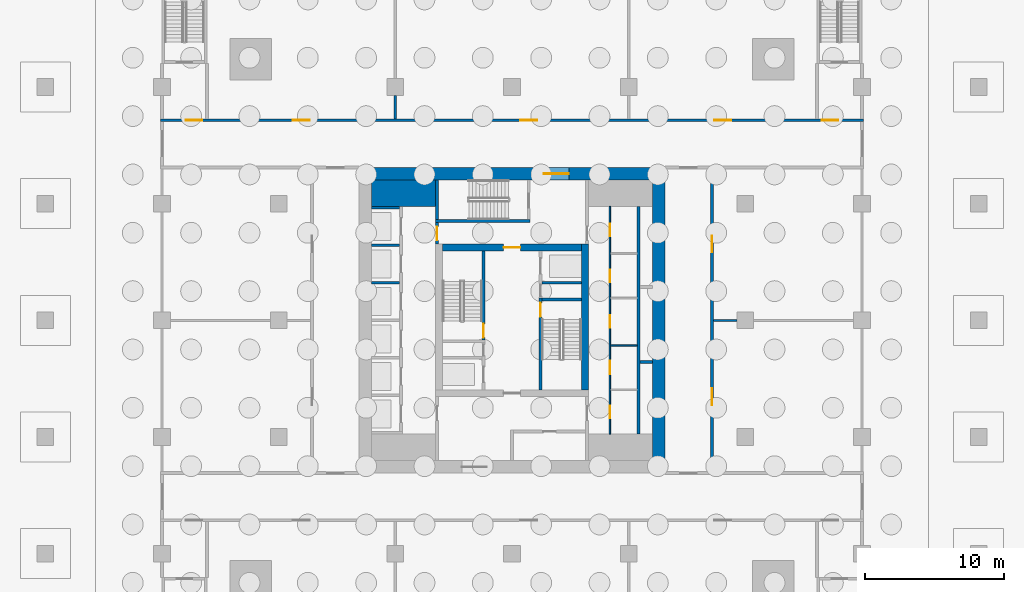
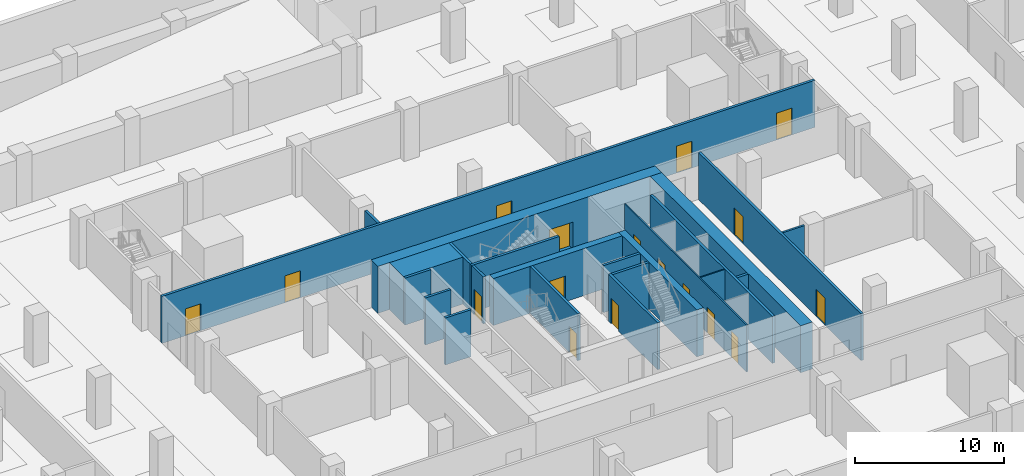
# One storey, part 8 of 19: 23 walls, 17 doors, 17 openings.
"""IFC4 building model written with IfcOpenShell, lengths in metres."""

import ifcopenshell
import ifcopenshell.guid

model = None  # the IFC model being written
_history = None  # IfcOwnerHistory: only IFC2X3 demands one
_inside = {}  # id of a spatial element -> (the spatial element, [elements in it])
_under = {}  # id of a project, library or spatial element -> (it, [spatial elements below it])
_declared = {}  # id of a project -> (the project, [libraries it declares])
_typed = {}  # id of a type object -> (the type object, [elements of that type])
_made_of = {}  # id of a material, layer set ... -> (it, [elements and type objects made of it])


def new_model(schema):
    """Start an empty IFC model of exactly this schema.

    Asked for "IFC4X3", IfcOpenShell would pick the latest addendum, in which some entities
    have other attributes; the version numbers below select the first issue.
    IFC2X3 requires an IfcOwnerHistory on every rooted entity: one is made here for all.
    """
    global model, _history
    if schema == "IFC4X3":
        model = ifcopenshell.file(schema_version=(4, 3, 0, 0))
    else:
        model = ifcopenshell.file(schema=schema)
    _inside.clear()
    _under.clear()
    _declared.clear()
    _typed.clear()
    _made_of.clear()
    _history = None
    if model.schema == "IFC2X3":
        org = make("IfcOrganization", Name="unknown")
        user = make(
            "IfcPersonAndOrganization",
            ThePerson=make("IfcPerson", FamilyName="unknown"),
            TheOrganization=org,
        )
        app = make(
            "IfcApplication",
            ApplicationDeveloper=org,
            Version="unknown",
            ApplicationFullName="unknown",
            ApplicationIdentifier="unknown",
        )
        _history = make(
            "IfcOwnerHistory",
            OwningUser=user,
            OwningApplication=app,
            ChangeAction="ADDED",
            CreationDate=0,
        )
    return model


def make(cls, **values):
    """One entity of the class cls with the attributes given. An attribute that is None is left unset."""
    return model.create_entity(
        cls, **{name: value for name, value in values.items() if value is not None}
    )


def rooted(cls, **values):
    """An entity with a GlobalId (a new one), such as an element, a storey or a relation."""
    return make(cls, GlobalId=ifcopenshell.guid.new(), OwnerHistory=_history, **values)


def si_unit(unit_type, name, prefix=None):
    """IfcSIUnit, for example si_unit("LENGTHUNIT", "METRE", prefix="MILLI")."""
    return make("IfcSIUnit", UnitType=unit_type, Prefix=prefix, Name=name)


def assignment(units):
    """IfcUnitAssignment: the units of a project."""
    return None if units is None else make("IfcUnitAssignment", Units=units)


def point(xyz):
    """IfcCartesianPoint."""
    return None if xyz is None else make("IfcCartesianPoint", Coordinates=xyz)


def direction(xyz):
    """IfcDirection."""
    return None if xyz is None else make("IfcDirection", DirectionRatios=xyz)


def frame(location, z_axis=None, x_axis=None):
    """IfcAxis2Placement3D, a coordinate frame: its origin and axes. An axis left out is left unset."""
    return make(
        "IfcAxis2Placement3D",
        Location=point(location),
        Axis=direction(z_axis),
        RefDirection=direction(x_axis),
    )


def frame_2d(location, x_axis=None):
    """IfcAxis2Placement2D, a coordinate frame in the plane: its origin and x axis."""
    return make(
        "IfcAxis2Placement2D", Location=point(location), RefDirection=direction(x_axis)
    )


def origin():
    """The frame at (0, 0, 0) with its axes left unset."""
    return frame((0.0, 0.0, 0.0))


def place(relative_to, where):
    """IfcLocalPlacement: puts the frame where relative to a parent placement (None: the world)."""
    return make(
        "IfcLocalPlacement", PlacementRelTo=relative_to, RelativePlacement=where
    )


def context(
    kind, dimensions, precision=None, world=None, true_north=None, identifier=None
):
    """IfcGeometricRepresentationContext, for example the 3D "Model" context."""
    return make(
        "IfcGeometricRepresentationContext",
        ContextIdentifier=identifier,
        ContextType=kind,
        CoordinateSpaceDimension=dimensions,
        Precision=precision,
        WorldCoordinateSystem=world,
        TrueNorth=true_north,
    )


def subcontext(parent, identifier, kind, view, scale=None):
    """IfcGeometricRepresentationSubContext, for example "Body" below "Model"."""
    return make(
        "IfcGeometricRepresentationSubContext",
        ContextIdentifier=identifier,
        ContextType=kind,
        ParentContext=parent,
        TargetScale=scale,
        TargetView=view,
    )


def project(units=None, contexts=None):
    """IfcProject with its units and contexts."""
    return rooted(
        "IfcProject",
        Name="project",
        RepresentationContexts=contexts,
        UnitsInContext=assignment(units),
    )


def spatial(cls, under=None, at=None, **own):
    """A site, building, storey or space (cls), placed at a placement, below another one or the project."""
    s = rooted(cls, ObjectPlacement=at, **own)
    if under is not None:
        _under.setdefault(under.id(), (under, []))[1].append(s)
    return s


def profile(cls, at=None, kind="AREA", **sizes):
    """A parametric profile (cls). Its sizes go by their IFC names, for example OverallWidth=200.0."""
    return make(cls, ProfileType=kind, Position=at, **sizes)


def rectangle(**sizes):
    """IfcRectangleProfileDef."""
    return profile("IfcRectangleProfileDef", **sizes)


def extrude(swept, where, along, depth):
    """IfcExtrudedAreaSolid: the profile swept, set in the frame where, extruded along a direction by depth."""
    return make(
        "IfcExtrudedAreaSolid",
        SweptArea=swept,
        Position=where,
        ExtrudedDirection=direction(along),
        Depth=depth,
    )


def shape(context_of_items, identifier, shape_type, items):
    """IfcShapeRepresentation: the items that make up one representation, for example the "Body"."""
    return make(
        "IfcShapeRepresentation",
        ContextOfItems=context_of_items,
        RepresentationIdentifier=identifier,
        RepresentationType=shape_type,
        Items=items,
    )


def material(Name=None, Category=None):
    """IfcMaterial."""
    return make("IfcMaterial", Name=Name, Category=Category)


def layer(
    of_material, thickness, ventilated=None, Name=None, Category=None, Priority=None
):
    """IfcMaterialLayer: one layer of a wall or slab, of a material (None: an air gap)."""
    return make(
        "IfcMaterialLayer",
        Material=of_material,
        LayerThickness=thickness,
        IsVentilated=ventilated,
        Name=Name,
        Category=Category,
        Priority=Priority,
    )


def layer_set(layers, Name=None):
    """IfcMaterialLayerSet."""
    return make("IfcMaterialLayerSet", MaterialLayers=layers, LayerSetName=Name)


def made_of(thing, what):
    """Note that an element or type object is made of a material, layer set ...; save() writes the relation."""
    if what is not None:
        _made_of.setdefault(what.id(), (what, []))[1].append(thing)
    return thing


def type_object(cls, material=None, **own):
    """A type object (cls), such as IfcWallType, which elements share."""
    return made_of(rooted(cls, **own), material)


def element(
    cls,
    number,
    at=None,
    inside=None,
    cuts=None,
    type_object=None,
    material=None,
    context=None,
    identifier="Body",
    shape_type=None,
    held_by="IfcProductDefinitionShape",
    body=None,
    shapes=None,
    **own,
):
    """One element of the class cls, such as IfcWall. Its Tag is "e" and its number.

    at: its placement. inside: the storey or other place that contains it. cuts: it is an
    opening in that element (IfcRelVoidsElement). A single representation is given by context,
    identifier, shape_type and body (its items); several are given by shapes. held_by: the class
    of the entity that holds the representations. save() writes the other relations.
    """
    e = rooted(cls, Tag="e%d" % number, ObjectPlacement=at, **own)
    if body is not None:
        shapes = [shape(context, identifier, shape_type, body)]
    if shapes is not None:
        e.Representation = make(held_by, Representations=shapes)
    if inside is not None:
        _inside.setdefault(inside.id(), (inside, []))[1].append(e)
    if cuts is not None:
        rooted(
            "IfcRelVoidsElement", RelatingBuildingElement=cuts, RelatedOpeningElement=e
        )
    if type_object is not None:
        _typed.setdefault(type_object.id(), (type_object, []))[1].append(e)
    return made_of(e, material)


def fill(opening, filler):
    """IfcRelFillsElement: the door or window that sits in an opening."""
    return rooted(
        "IfcRelFillsElement",
        RelatingOpeningElement=opening,
        RelatedBuildingElement=filler,
    )


def aggregate(whole, parts):
    """IfcRelAggregates: a whole, such as a stair, and the parts it consists of."""
    return rooted("IfcRelAggregates", RelatingObject=whole, RelatedObjects=parts)


def save(model, path):
    """Write the relations noted so far, then the file.

    IfcRelAggregates (storeys below a building ...), IfcRelContainedInSpatialStructure (elements
    in a storey), IfcRelDefinesByType, IfcRelAssociatesMaterial and IfcRelDeclares: one each for
    every whole, place, type object, material and project.
    """
    for whole, parts in _under.values():
        aggregate(whole, parts)
    for where, things in _inside.values():
        rooted(
            "IfcRelContainedInSpatialStructure",
            RelatedElements=things,
            RelatingStructure=where,
        )
    for kind, things in _typed.values():
        rooted("IfcRelDefinesByType", RelatedObjects=things, RelatingType=kind)
    for what, things in _made_of.values():
        rooted("IfcRelAssociatesMaterial", RelatedObjects=things, RelatingMaterial=what)
    for by, libraries in _declared.values():
        rooted("IfcRelDeclares", RelatingContext=by, RelatedDefinitions=libraries)
    model.write(path)


model = new_model("IFC4")

# Units and contexts
model_context = context("Model", 3, precision=1e-05, world=origin(), true_north=direction((0.0, 1.0)))
body_context = subcontext(model_context, "Body", "Model", "MODEL_VIEW")
ifc_project = project(units=[si_unit("LENGTHUNIT", "METRE"), si_unit("AREAUNIT", "SQUARE_METRE"), si_unit("VOLUMEUNIT", "CUBIC_METRE"), si_unit("PLANEANGLEUNIT", "RADIAN"), si_unit("MASSUNIT", "GRAM", prefix="KILO")], contexts=[model_context])

# Site, building, storey
site_placement = place(None, origin())
site = spatial("IfcSite", under=ifc_project, at=site_placement, CompositionType="ELEMENT")
building_placement = place(site_placement, origin())
building = spatial("IfcBuilding", under=site, at=building_placement, Name="Khepri Terraces", CompositionType="ELEMENT")
storey_placement = place(building_placement, frame((0.0, 0.0, -8.39990234375)))
storey = spatial("IfcBuildingStorey", under=building, at=storey_placement, Name="B2", CompositionType="ELEMENT", Elevation=-8.39990234375)

# Wall
ifc_material_1 = material(Name="Concrete C80/95", Category="concrete")
ifc_layer_1 = layer(ifc_material_1, 1.89990234375, Name="Concrete C80/95", Category="concrete")
ifc_layer_set_1 = layer_set([ifc_layer_1], Name="Concrete C80/95")
wall_type_1 = type_object("IfcWallType", Name="Core wall 1900 C80/95", PredefinedType="SHEAR", material=ifc_layer_set_1)
wall_1_placement = place(storey_placement, frame((-10.10009765625, 9.14990234375, 0.0), z_axis=(0.0, 0.0, 1.0), x_axis=(1.0, 0.0, 0.0)))
element("IfcWall", 1, at=wall_1_placement, inside=storey, type_object=wall_type_1, Name="Core wall PR03 B2", PredefinedType="SHEAR", context=body_context, shape_type="SweptSolid", body=[
    extrude(rectangle(XDim=4.60009765625, YDim=1.89990234375, at=frame_2d((2.300048828125, 0.0))), origin(), (0.0, 0.0, 1.0), 3.849853515625),
])

# Wall, opening, door
ifc_layer_2 = layer(ifc_material_1, 0.199951171875, Name="Concrete C80/95", Category="concrete")
ifc_layer_set_2 = layer_set([ifc_layer_2], Name="Concrete C80/95")
wall_type_2 = type_object("IfcWallType", Name="Core wall 200 C80/95", PredefinedType="SHEAR", material=ifc_layer_set_2)
wall_2_placement = place(storey_placement, frame((2.050048828125, -5.0, 0.0), z_axis=(0.0, 0.0, 1.0), x_axis=(0.0, 1.0, 0.0)))
wall_2 = element("IfcWall", 2, at=wall_2_placement, inside=storey, type_object=wall_type_2, Name="Core wall ST01 B2", PredefinedType="SHEAR", context=body_context, shape_type="SweptSolid", body=[
    extrude(rectangle(XDim=6.60009765625, YDim=0.199951171875, at=frame_2d((3.300048828125, 0.0))), origin(), (0.0, 0.0, 1.0), 3.849853515625),
])
opening_1_placement = place(wall_2_placement, frame((5.25, 0.0, 0.0)))
opening_1 = element("IfcOpeningElement", 3, at=opening_1_placement, cuts=wall_2, Name="Opening B2-C10", PredefinedType="OPENING", context=body_context, shape_type="SweptSolid", body=[
    extrude(rectangle(XDim=1.0, YDim=2.10009765625, at=frame_2d((0.5, 1.050048828125))), frame((0.0, 0.10986328125, 0.0), z_axis=(0.0, -1.0, 0.0), x_axis=(1.0, 0.0, 0.0)), (0.0, 0.0, 1.0), 0.219970703125),
])
ifc_material_2 = material(Name="Painted steel", Category="steel")
door_type_1 = type_object("IfcDoorType", Name="DR-CORE-STAIR-1000", OperationType="NOTDEFINED", PredefinedType="DOOR", material=ifc_material_2)
door_1_placement = place(opening_1_placement, frame((1.0, 0.0, 0.0), z_axis=(0.0, 0.0, 1.0), x_axis=(-1.0, 0.0, 0.0)))
door_1 = element("IfcDoor", 4, at=door_1_placement, inside=storey, type_object=door_type_1, Name="Stair door B2-C10", OperationType="SINGLE_SWING_LEFT", OverallHeight=2.10009765625, OverallWidth=1.0, PredefinedType="DOOR", context=body_context, shape_type="SweptSolid", body=[
    extrude(rectangle(XDim=1.0, YDim=2.10009765625, at=frame_2d((0.5, 1.050048828125))), frame((0.0, 0.02490234375, 0.0), z_axis=(0.0, -1.0, 0.0), x_axis=(1.0, 0.0, 0.0)), (0.0, 0.0, 1.0), 0.050048828125),
])
fill(opening_1, door_1)

wall_3_placement = place(storey_placement, frame((-2.050048828125, -1.39990234375, 0.0), z_axis=(0.0, 0.0, 1.0), x_axis=(0.0, 1.0, 0.0)))
wall_3 = element("IfcWall", 5, at=wall_3_placement, inside=storey, type_object=wall_type_2, Name="Core wall ST03 B2", PredefinedType="SHEAR", context=body_context, shape_type="SweptSolid", body=[
    extrude(rectangle(XDim=6.39990234375, YDim=0.199951171875, at=frame_2d((3.199951171875, 0.0))), origin(), (0.0, 0.0, 1.0), 3.849853515625),
])
opening_2_placement = place(wall_3_placement, frame((0.14990234375, 0.0, 0.0)))
opening_2 = element("IfcOpeningElement", 6, at=opening_2_placement, cuts=wall_3, Name="Opening B2-C09", PredefinedType="OPENING", context=body_context, shape_type="SweptSolid", body=[
    extrude(rectangle(XDim=1.0, YDim=2.10009765625, at=frame_2d((0.5, 1.050048828125))), frame((0.0, 0.10986328125, 0.0), z_axis=(0.0, -1.0, 0.0), x_axis=(1.0, 0.0, 0.0)), (0.0, 0.0, 1.0), 0.219970703125),
])
door_2_placement = place(opening_2_placement, origin())
door_2 = element("IfcDoor", 7, at=door_2_placement, inside=storey, type_object=door_type_1, Name="Stair door B2-C09", OperationType="SINGLE_SWING_LEFT", OverallHeight=2.10009765625, OverallWidth=1.0, PredefinedType="DOOR", context=body_context, shape_type="SweptSolid", body=[
    extrude(rectangle(XDim=1.0, YDim=2.10009765625, at=frame_2d((0.5, 1.050048828125))), frame((0.0, 0.02490234375, 0.0), z_axis=(0.0, -1.0, 0.0), x_axis=(1.0, 0.0, 0.0)), (0.0, 0.0, 1.0), 0.050048828125),
])
fill(opening_2, door_2)

# Walls
wall_4_placement = place(storey_placement, frame((2.14990234375, 1.5, 0.0), z_axis=(0.0, 0.0, 1.0), x_axis=(1.0, 0.0, 0.0)))
element("IfcWall", 8, at=wall_4_placement, inside=storey, type_object=wall_type_2, Name="Core wall ST04 B2", PredefinedType="SHEAR", context=body_context, shape_type="SweptSolid", body=[
    extrude(rectangle(XDim=2.85009765625, YDim=0.199951171875, at=frame_2d((1.425048828125, 0.0))), origin(), (0.0, 0.0, 1.0), 3.849853515625),
])
wall_5_placement = place(storey_placement, frame((-5.5, 7.14990234375, 0.0), z_axis=(0.0, 0.0, 1.0), x_axis=(1.0, 0.0, 0.0)))
element("IfcWall", 9, at=wall_5_placement, inside=storey, type_object=wall_type_2, Name="Core wall ST05 B2", PredefinedType="SHEAR", context=body_context, shape_type="SweptSolid", body=[
    extrude(rectangle(XDim=6.800048828125, YDim=0.199951171875, at=frame_2d((3.39990234375, 0.0))), origin(), (0.0, 0.0, 1.0), 3.849853515625),
])
wall_6_placement = place(storey_placement, frame((-5.39990234375, 7.25, 0.0), z_axis=(0.0, 0.0, 1.0), x_axis=(0.0, 1.0, 0.0)))
element("IfcWall", 10, at=wall_6_placement, inside=storey, type_object=wall_type_2, Name="Core wall ST06 B2", PredefinedType="SHEAR", context=body_context, shape_type="SweptSolid", body=[
    extrude(rectangle(XDim=2.85009765625, YDim=0.199951171875, at=frame_2d((1.425048828125, 0.0))), origin(), (0.0, 0.0, 1.0), 3.849853515625),
])
wall_7_placement = place(storey_placement, frame((9.10009765625, -8.199951171875, 0.0), z_axis=(0.0, 0.0, 1.0), x_axis=(0.0, 1.0, 0.0)))
element("IfcWall", 11, at=wall_7_placement, inside=storey, type_object=wall_type_2, Name="Core wall SH02 B2", PredefinedType="SHEAR", context=body_context, shape_type="SweptSolid", body=[
    extrude(rectangle(XDim=16.39990234375, YDim=0.199951171875, at=frame_2d((8.199951171875, 0.0))), origin(), (0.0, 0.0, 1.0), 3.849853515625),
])
wall_8_placement = place(storey_placement, frame((9.199951171875, -3.0, 0.0), z_axis=(0.0, 0.0, 1.0), x_axis=(1.0, 0.0, 0.0)))
element("IfcWall", 12, at=wall_8_placement, inside=storey, type_object=wall_type_2, Name="Core wall SH06 B2", PredefinedType="SHEAR", context=body_context, shape_type="SweptSolid", body=[
    extrude(rectangle(XDim=0.900146484375, YDim=0.199951171875, at=frame_2d((0.4501953125, 0.0))), origin(), (0.0, 0.0, 1.0), 3.849853515625),
])
wall_9_placement = place(storey_placement, frame((-10.10009765625, 2.699951171875, 0.0), z_axis=(0.0, 0.0, 1.0), x_axis=(1.0, 0.0, 0.0)))
element("IfcWall", 13, at=wall_9_placement, inside=storey, type_object=wall_type_2, Name="Core wall SH12 B2", PredefinedType="SHEAR", context=body_context, shape_type="SweptSolid", body=[
    extrude(rectangle(XDim=2.0, YDim=0.199951171875, at=frame_2d((1.0, 0.0))), origin(), (0.0, 0.0, 1.0), 3.849853515625),
])
wall_10_placement = place(storey_placement, frame((2.14990234375, 2.699951171875, 0.0), z_axis=(0.0, 0.0, 1.0), x_axis=(1.0, 0.0, 0.0)))
element("IfcWall", 14, at=wall_10_placement, inside=storey, type_object=wall_type_2, Name="Core wall SH13 B2", PredefinedType="SHEAR", context=body_context, shape_type="SweptSolid", body=[
    extrude(rectangle(XDim=2.85009765625, YDim=0.199951171875, at=frame_2d((1.425048828125, 0.0))), origin(), (0.0, 0.0, 1.0), 3.849853515625),
])
for number, where, z_axis, x_axis, name in (
    (15, (-10.10009765625, 5.39990234375, 0.0), (0.0, 0.0, 1.0), (1.0, 0.0, 0.0), "Core wall SH14 B2"),
    (16, (-10.10009765625, 8.10009765625, 0.0), (0.0, 0.0, 1.0), (1.0, 0.0, 0.0), "Core wall SH15 B2"),
):
    element("IfcWall", number, at=place(storey_placement, frame(where, z_axis=z_axis, x_axis=x_axis)), inside=storey, type_object=wall_type_2, Name=name, PredefinedType="SHEAR", context=body_context, shape_type="SweptSolid", body=[
        extrude(rectangle(XDim=2.0, YDim=0.199951171875, at=frame_2d((1.0, 0.0))), origin(), (0.0, 0.0, 1.0), 3.849853515625),
    ])
ifc_layer_3 = layer(ifc_material_1, 0.5, Name="Concrete C80/95", Category="concrete")
ifc_layer_set_3 = layer_set([ifc_layer_3], Name="Concrete C80/95")
wall_type_3 = type_object("IfcWallType", Name="Core wall 500 C80/95", PredefinedType="SHEAR", material=ifc_layer_set_3)
wall_11_placement = place(storey_placement, frame((5.25, -5.0, 0.0), z_axis=(0.0, 0.0, 1.0), x_axis=(0.0, 1.0, 0.0)))
element("IfcWall", 17, at=wall_11_placement, inside=storey, type_object=wall_type_3, Name="Core wall BX03 B2", PredefinedType="SHEAR", context=body_context, shape_type="SweptSolid", body=[
    extrude(rectangle(XDim=10.5, YDim=0.5, at=frame_2d((5.25, 0.0))), origin(), (0.0, 0.0, 1.0), 3.849853515625),
])

# Wall, opening, door
wall_12_placement = place(storey_placement, frame((-5.0, 5.25, 0.0), z_axis=(0.0, 0.0, 1.0), x_axis=(1.0, 0.0, 0.0)))
wall_12 = element("IfcWall", 18, at=wall_12_placement, inside=storey, type_object=wall_type_3, Name="Core wall BX04 B2", PredefinedType="SHEAR", context=body_context, shape_type="SweptSolid", body=[
    extrude(rectangle(XDim=10.0, YDim=0.5, at=frame_2d((5.0, 0.0))), origin(), (0.0, 0.0, 1.0), 3.849853515625),
])
opening_3_placement = place(wall_12_placement, frame((4.39990234375, 0.0, 0.0)))
opening_3 = element("IfcOpeningElement", 19, at=opening_3_placement, cuts=wall_12, Name="Opening B2-C13", PredefinedType="OPENING", context=body_context, shape_type="SweptSolid", body=[
    extrude(rectangle(XDim=1.199951171875, YDim=2.10009765625, at=frame_2d((0.60009765625, 1.050048828125))), frame((0.0, 0.260009765625, 0.0), z_axis=(0.0, -1.0, 0.0), x_axis=(1.0, 0.0, 0.0)), (0.0, 0.0, 1.0), 0.52001953125),
])
door_type_2 = type_object("IfcDoorType", Name="DR-CORE-FF-LOBBY-1200", OperationType="NOTDEFINED", PredefinedType="DOOR", material=ifc_material_2)
door_3_placement = place(opening_3_placement, frame((1.199951171875, 0.0, 0.0), z_axis=(0.0, 0.0, 1.0), x_axis=(-1.0, 0.0, 0.0)))
door_3 = element("IfcDoor", 20, at=door_3_placement, inside=storey, type_object=door_type_2, Name="Firefighting lobby door B2-C13", OperationType="SINGLE_SWING_LEFT", OverallHeight=2.10009765625, OverallWidth=1.199951171875, PredefinedType="DOOR", context=body_context, shape_type="SweptSolid", body=[
    extrude(rectangle(XDim=1.199951171875, YDim=2.10009765625, at=frame_2d((0.60009765625, 1.050048828125))), frame((0.0, 0.02490234375, 0.0), z_axis=(0.0, -1.0, 0.0), x_axis=(1.0, 0.0, 0.0)), (0.0, 0.0, 1.0), 0.050048828125),
])
fill(opening_3, door_3)

ifc_layer_4 = layer(ifc_material_1, 0.89990234375, Name="Concrete C80/95", Category="concrete")
ifc_layer_set_4 = layer_set([ifc_layer_4], Name="Concrete C80/95")
wall_type_4 = type_object("IfcWallType", Name="Core wall 900 C80/95", PredefinedType="SHEAR", material=ifc_layer_set_4)
wall_13_placement = place(storey_placement, frame((-11.0, 10.550048828125, 0.0), z_axis=(0.0, 0.0, 1.0), x_axis=(1.0, 0.0, 0.0)))
wall_13 = element("IfcWall", 21, at=wall_13_placement, inside=storey, type_object=wall_type_4, Name="Core wall OW-N B2", PredefinedType="SHEAR", context=body_context, shape_type="SweptSolid", body=[
    extrude(rectangle(XDim=22.0, YDim=0.89990234375, at=frame_2d((11.0, 0.0))), origin(), (0.0, 0.0, 1.0), 3.849853515625),
])
opening_4_placement = place(wall_13_placement, frame((13.300048828125, 0.0, 0.0)))
opening_4 = element("IfcOpeningElement", 22, at=opening_4_placement, cuts=wall_13, Name="Opening B2-C20", PredefinedType="OPENING", context=body_context, shape_type="SweptSolid", body=[
    extrude(rectangle(XDim=1.800048828125, YDim=2.199951171875, at=frame_2d((0.89990234375, 1.10009765625))), frame((0.0, 0.4599609375, 0.0), z_axis=(0.0, -1.0, 0.0), x_axis=(1.0, 0.0, 0.0)), (0.0, 0.0, 1.0), 0.919921875),
])
door_type_3 = type_object("IfcDoorType", Name="DR-CORE-ENTRANCE-1800", OperationType="NOTDEFINED", PredefinedType="DOOR", material=ifc_material_2)
door_4_placement = place(opening_4_placement, origin())
door_4 = element("IfcDoor", 23, at=door_4_placement, inside=storey, type_object=door_type_3, Name="Core entrance door pair B2-C20", OperationType="DOUBLE_DOOR_SINGLE_SWING", OverallHeight=2.199951171875, OverallWidth=1.800048828125, PredefinedType="DOOR", context=body_context, shape_type="SweptSolid", body=[
    extrude(rectangle(XDim=1.800048828125, YDim=2.199951171875, at=frame_2d((0.89990234375, 1.10009765625))), frame((0.0, 0.02490234375, 0.0), z_axis=(0.0, -1.0, 0.0), x_axis=(1.0, 0.0, 0.0)), (0.0, 0.0, 1.0), 0.050048828125),
])
fill(opening_4, door_4)

# Wall
wall_14_placement = place(storey_placement, frame((10.550048828125, -10.10009765625, 0.0), z_axis=(0.0, 0.0, 1.0), x_axis=(0.0, 1.0, 0.0)))
element("IfcWall", 24, at=wall_14_placement, inside=storey, type_object=wall_type_4, Name="Core wall OW-E B2", PredefinedType="SHEAR", context=body_context, shape_type="SweptSolid", body=[
    extrude(rectangle(XDim=20.2001953125, YDim=0.89990234375, at=frame_2d((10.10009765625, 0.0))), origin(), (0.0, 0.0, 1.0), 3.849853515625),
])

# Wall, openings, doors
ifc_material_3 = material(Name="Fire-rated gypsum board partition")
ifc_layer_5 = layer(ifc_material_3, 0.10009765625, Name="Fire-rated gypsum board partition")
ifc_layer_set_5 = layer_set([ifc_layer_5], Name="Fire-rated gypsum board partition")
wall_type_5 = type_object("IfcWallType", Name="WL-CORE-PART-100", PredefinedType="PARTITIONING", material=ifc_layer_set_5)
wall_15_placement = place(storey_placement, frame((7.050048828125, -8.199951171875, 0.0), z_axis=(0.0, 0.0, 1.0), x_axis=(0.0, 1.0, 0.0)))
wall_15 = element("IfcWall", 25, at=wall_15_placement, inside=storey, type_object=wall_type_5, Name="Core partition PT04 B2", PredefinedType="PARTITIONING", context=body_context, shape_type="SweptSolid", body=[
    extrude(rectangle(XDim=16.39990234375, YDim=0.10009765625, at=frame_2d((8.199951171875, 0.0))), origin(), (0.0, 0.0, 1.0), 3.849853515625),
])
opening_5_placement = place(wall_15_placement, frame((1.14990234375, 0.0, 0.0)))
opening_5 = element("IfcOpeningElement", 26, at=opening_5_placement, cuts=wall_15, Name="Opening B2-C23", PredefinedType="OPENING", context=body_context, shape_type="SweptSolid", body=[
    extrude(rectangle(XDim=0.89990234375, YDim=2.10009765625, at=frame_2d((0.449951171875, 1.050048828125))), frame((0.0, 0.06005859375, 0.0), z_axis=(0.0, -1.0, 0.0), x_axis=(1.0, 0.0, 0.0)), (0.0, 0.0, 1.0), 0.1201171875),
])
opening_6_placement = place(wall_15_placement, frame((4.300048828125, 0.0, 0.0)))
opening_6 = element("IfcOpeningElement", 27, at=opening_6_placement, cuts=wall_15, Name="Opening B2-C24", PredefinedType="OPENING", context=body_context, shape_type="SweptSolid", body=[
    extrude(rectangle(XDim=1.0, YDim=2.10009765625, at=frame_2d((0.5, 1.050048828125))), frame((0.0, 0.06005859375, 0.0), z_axis=(0.0, -1.0, 0.0), x_axis=(1.0, 0.0, 0.0)), (0.0, 0.0, 1.0), 0.1201171875),
])
opening_7_placement = place(wall_15_placement, frame((7.64990234375, 0.0, 0.0)))
opening_7 = element("IfcOpeningElement", 28, at=opening_7_placement, cuts=wall_15, Name="Opening B2-C25", PredefinedType="OPENING", context=body_context, shape_type="SweptSolid", body=[
    extrude(rectangle(XDim=0.89990234375, YDim=2.10009765625, at=frame_2d((0.449951171875, 1.050048828125))), frame((0.0, 0.06005859375, 0.0), z_axis=(0.0, -1.0, 0.0), x_axis=(1.0, 0.0, 0.0)), (0.0, 0.0, 1.0), 0.1201171875),
])
opening_8_placement = place(wall_15_placement, frame((10.949951171875, 0.0, 0.0)))
opening_8 = element("IfcOpeningElement", 29, at=opening_8_placement, cuts=wall_15, Name="Opening B2-C26", PredefinedType="OPENING", context=body_context, shape_type="SweptSolid", body=[
    extrude(rectangle(XDim=0.89990234375, YDim=2.10009765625, at=frame_2d((0.449951171875, 1.050048828125))), frame((0.0, 0.06005859375, 0.0), z_axis=(0.0, -1.0, 0.0), x_axis=(1.0, 0.0, 0.0)), (0.0, 0.0, 1.0), 0.1201171875),
])
opening_9_placement = place(wall_15_placement, frame((14.25, 0.0, 0.0)))
opening_9 = element("IfcOpeningElement", 30, at=opening_9_placement, cuts=wall_15, Name="Opening B2-C27", PredefinedType="OPENING", context=body_context, shape_type="SweptSolid", body=[
    extrude(rectangle(XDim=0.89990234375, YDim=2.10009765625, at=frame_2d((0.449951171875, 1.050048828125))), frame((0.0, 0.06005859375, 0.0), z_axis=(0.0, -1.0, 0.0), x_axis=(1.0, 0.0, 0.0)), (0.0, 0.0, 1.0), 0.1201171875),
])
door_type_4 = type_object("IfcDoorType", Name="DR-CORE-SERVICE-900", OperationType="NOTDEFINED", PredefinedType="DOOR", material=ifc_material_2)
door_5_placement = place(opening_5_placement, frame((0.89990234375, 0.0, 0.0), z_axis=(0.0, 0.0, 1.0), x_axis=(-1.0, 0.0, 0.0)))
door_5 = element("IfcDoor", 31, at=door_5_placement, inside=storey, type_object=door_type_4, Name="Service room door B2-C23", OperationType="SINGLE_SWING_RIGHT", OverallHeight=2.10009765625, OverallWidth=0.89990234375, PredefinedType="DOOR", context=body_context, shape_type="SweptSolid", body=[
    extrude(rectangle(XDim=0.89990234375, YDim=2.10009765625, at=frame_2d((0.449951171875, 1.050048828125))), frame((0.0, 0.02490234375, 0.0), z_axis=(0.0, -1.0, 0.0), x_axis=(1.0, 0.0, 0.0)), (0.0, 0.0, 1.0), 0.050048828125),
])
fill(opening_5, door_5)
door_6_placement = place(opening_7_placement, frame((0.89990234375, 0.0, 0.0), z_axis=(0.0, 0.0, 1.0), x_axis=(-1.0, 0.0, 0.0)))
door_6 = element("IfcDoor", 32, at=door_6_placement, inside=storey, type_object=door_type_4, Name="Service room door B2-C25", OperationType="SINGLE_SWING_RIGHT", OverallHeight=2.10009765625, OverallWidth=0.89990234375, PredefinedType="DOOR", context=body_context, shape_type="SweptSolid", body=[
    extrude(rectangle(XDim=0.89990234375, YDim=2.10009765625, at=frame_2d((0.449951171875, 1.050048828125))), frame((0.0, 0.02490234375, 0.0), z_axis=(0.0, -1.0, 0.0), x_axis=(1.0, 0.0, 0.0)), (0.0, 0.0, 1.0), 0.050048828125),
])
fill(opening_7, door_6)
door_7_placement = place(opening_8_placement, frame((0.89990234375, 0.0, 0.0), z_axis=(0.0, 0.0, 1.0), x_axis=(-1.0, 0.0, 0.0)))
door_7 = element("IfcDoor", 33, at=door_7_placement, inside=storey, type_object=door_type_4, Name="Service room door B2-C26", OperationType="SINGLE_SWING_LEFT", OverallHeight=2.10009765625, OverallWidth=0.89990234375, PredefinedType="DOOR", context=body_context, shape_type="SweptSolid", body=[
    extrude(rectangle(XDim=0.89990234375, YDim=2.10009765625, at=frame_2d((0.449951171875, 1.050048828125))), frame((0.0, 0.02490234375, 0.0), z_axis=(0.0, -1.0, 0.0), x_axis=(1.0, 0.0, 0.0)), (0.0, 0.0, 1.0), 0.050048828125),
])
fill(opening_8, door_7)
door_8_placement = place(opening_9_placement, frame((0.89990234375, 0.0, 0.0), z_axis=(0.0, 0.0, 1.0), x_axis=(-1.0, 0.0, 0.0)))
door_8 = element("IfcDoor", 34, at=door_8_placement, inside=storey, type_object=door_type_4, Name="Service room door B2-C27", OperationType="SINGLE_SWING_LEFT", OverallHeight=2.10009765625, OverallWidth=0.89990234375, PredefinedType="DOOR", context=body_context, shape_type="SweptSolid", body=[
    extrude(rectangle(XDim=0.89990234375, YDim=2.10009765625, at=frame_2d((0.449951171875, 1.050048828125))), frame((0.0, 0.02490234375, 0.0), z_axis=(0.0, -1.0, 0.0), x_axis=(1.0, 0.0, 0.0)), (0.0, 0.0, 1.0), 0.050048828125),
])
fill(opening_9, door_8)
ifc_material_4 = material(Name="Timber veneer", Category="wood")
door_type_5 = type_object("IfcDoorType", Name="DR-CORE-WC-1000", OperationType="NOTDEFINED", PredefinedType="DOOR", material=ifc_material_4)
door_9_placement = place(opening_6_placement, frame((1.0, 0.0, 0.0), z_axis=(0.0, 0.0, 1.0), x_axis=(-1.0, 0.0, 0.0)))
door_9 = element("IfcDoor", 35, at=door_9_placement, inside=storey, type_object=door_type_5, Name="WC door B2-C24", OperationType="SINGLE_SWING_RIGHT", OverallHeight=2.10009765625, OverallWidth=1.0, PredefinedType="DOOR", context=body_context, shape_type="SweptSolid", body=[
    extrude(rectangle(XDim=1.0, YDim=2.10009765625, at=frame_2d((0.5, 1.050048828125))), frame((0.0, 0.02490234375, 0.0), z_axis=(0.0, -1.0, 0.0), x_axis=(1.0, 0.0, 0.0)), (0.0, 0.0, 1.0), 0.050048828125),
])
fill(opening_6, door_9)

# Wall
wall_16_placement = place(storey_placement, frame((7.10009765625, -1.800048828125, 0.0), z_axis=(0.0, 0.0, 1.0), x_axis=(1.0, 0.0, 0.0)))
element("IfcWall", 36, at=wall_16_placement, inside=storey, type_object=wall_type_5, Name="Core partition PT07 B2", PredefinedType="PARTITIONING", context=body_context, shape_type="SweptSolid", body=[
    extrude(rectangle(XDim=1.89990234375, YDim=0.10009765625, at=frame_2d((0.949951171875, 0.0))), origin(), (0.0, 0.0, 1.0), 3.849853515625),
])

# Wall, opening, door
ifc_layer_6 = layer(ifc_material_3, 0.199951171875, Name="Fire-rated gypsum board partition")
ifc_layer_set_6 = layer_set([ifc_layer_6], Name="Fire-rated gypsum board partition")
wall_type_6 = type_object("IfcWallType", Name="WL-CORE-PART-200", PredefinedType="PARTITIONING", material=ifc_layer_set_6)
wall_17_placement = place(storey_placement, frame((-5.39990234375, 5.5, 0.0), z_axis=(0.0, 0.0, 1.0), x_axis=(0.0, 1.0, 0.0)))
wall_17 = element("IfcWall", 37, at=wall_17_placement, inside=storey, type_object=wall_type_6, Name="Core partition PT10 B2", PredefinedType="PARTITIONING", context=body_context, shape_type="SweptSolid", body=[
    extrude(rectangle(XDim=1.550048828125, YDim=0.199951171875, at=frame_2d((0.77490234375, 0.0))), origin(), (0.0, 0.0, 1.0), 3.849853515625),
])
opening_10_placement = place(wall_17_placement, frame((0.25, 0.0, 0.0)))
opening_10 = element("IfcOpeningElement", 38, at=opening_10_placement, cuts=wall_17, Name="Opening B2-C16", PredefinedType="OPENING", context=body_context, shape_type="SweptSolid", body=[
    extrude(rectangle(XDim=1.0, YDim=2.10009765625, at=frame_2d((0.5, 1.050048828125))), frame((0.0, 0.10986328125, 0.0), z_axis=(0.0, -1.0, 0.0), x_axis=(1.0, 0.0, 0.0)), (0.0, 0.0, 1.0), 0.219970703125),
])
door_type_6 = type_object("IfcDoorType", Name="DR-CORE-LOBBY-1000", OperationType="NOTDEFINED", PredefinedType="DOOR", material=ifc_material_2)
door_10_placement = place(opening_10_placement, frame((1.0, 0.0, 0.0), z_axis=(0.0, 0.0, 1.0), x_axis=(-1.0, 0.0, 0.0)))
door_10 = element("IfcDoor", 39, at=door_10_placement, inside=storey, type_object=door_type_6, Name="Lobby door B2-C16", OperationType="SINGLE_SWING_RIGHT", OverallHeight=2.10009765625, OverallWidth=1.0, PredefinedType="DOOR", context=body_context, shape_type="SweptSolid", body=[
    extrude(rectangle(XDim=1.0, YDim=2.10009765625, at=frame_2d((0.5, 1.050048828125))), frame((0.0, 0.02490234375, 0.0), z_axis=(0.0, -1.0, 0.0), x_axis=(1.0, 0.0, 0.0)), (0.0, 0.0, 1.0), 0.050048828125),
])
fill(opening_10, door_10)

# Wall
ifc_material_5 = material(Name="Gypsum board partition")
ifc_layer_7 = layer(ifc_material_5, 0.14990234375, Name="Gypsum board partition")
ifc_layer_set_7 = layer_set([ifc_layer_7], Name="Gypsum board partition")
wall_type_7 = type_object("IfcWallType", Name="WL-POD-150", PredefinedType="PARTITIONING", material=ifc_layer_set_7)
wall_18_placement = place(storey_placement, frame((14.5, 0.0, 0.0), z_axis=(0.0, 0.0, 1.0), x_axis=(1.0, 0.0, 0.0)))
element("IfcWall", 40, at=wall_18_placement, inside=storey, type_object=wall_type_7, Name="Partition B2-PW022", PredefinedType="PARTITIONING", context=body_context, shape_type="SweptSolid", body=[
    extrude(rectangle(XDim=1.699951171875, YDim=0.14990234375, at=frame_2d((0.85009765625, 0.0))), origin(), (0.0, 0.0, 1.0), 3.849853515625),
])

# Wall, openings, doors
ifc_material_6 = material(Name="Fire-rated block wall")
ifc_layer_8 = layer(ifc_material_6, 0.199951171875, Name="Fire-rated block wall")
ifc_layer_set_8 = layer_set([ifc_layer_8], Name="Fire-rated block wall")
wall_type_8 = type_object("IfcWallType", Name="WL-POD-200-EI120", PredefinedType="PARTITIONING", material=ifc_layer_set_8)
wall_19_placement = place(storey_placement, frame((-25.300048828125, 14.39990234375, 0.0), z_axis=(0.0, 0.0, 1.0), x_axis=(1.0, 0.0, 0.0)))
wall_19 = element("IfcWall", 41, at=wall_19_placement, inside=storey, type_object=wall_type_8, Name="Partition B2-PW026", PredefinedType="PARTITIONING", context=body_context, shape_type="SweptSolid", body=[
    extrude(rectangle(XDim=50.60009765625, YDim=0.199951171875, at=frame_2d((25.300048828125, 0.0))), origin(), (0.0, 0.0, 1.0), 3.849853515625),
])
opening_11_placement = place(wall_19_placement, frame((1.800048828125, 0.0, 0.0)))
opening_11 = element("IfcOpeningElement", 42, at=opening_11_placement, cuts=wall_19, Name="Opening B2-P28", PredefinedType="OPENING", context=body_context, shape_type="SweptSolid", body=[
    extrude(rectangle(XDim=1.199951171875, YDim=2.199951171875, at=frame_2d((0.60009765625, 1.10009765625))), frame((0.0, 0.10986328125, 0.0), z_axis=(0.0, -1.0, 0.0), x_axis=(1.0, 0.0, 0.0)), (0.0, 0.0, 1.0), 0.219970703125),
])
opening_12_placement = place(wall_19_placement, frame((9.52490234375, 0.0, 0.0)))
opening_12 = element("IfcOpeningElement", 43, at=opening_12_placement, cuts=wall_19, Name="Opening B2-P29", PredefinedType="OPENING", context=body_context, shape_type="SweptSolid", body=[
    extrude(rectangle(XDim=1.199951171875, YDim=2.199951171875, at=frame_2d((0.60009765625, 1.10009765625))), frame((0.0, 0.10986328125, 0.0), z_axis=(0.0, -1.0, 0.0), x_axis=(1.0, 0.0, 0.0)), (0.0, 0.0, 1.0), 0.219970703125),
])
opening_13_placement = place(wall_19_placement, frame((25.89990234375, 0.0, 0.0)))
opening_13 = element("IfcOpeningElement", 44, at=opening_13_placement, cuts=wall_19, Name="Opening B2-P30", PredefinedType="OPENING", context=body_context, shape_type="SweptSolid", body=[
    extrude(rectangle(XDim=1.199951171875, YDim=2.199951171875, at=frame_2d((0.60009765625, 1.10009765625))), frame((0.0, 0.10986328125, 0.0), z_axis=(0.0, -1.0, 0.0), x_axis=(1.0, 0.0, 0.0)), (0.0, 0.0, 1.0), 0.219970703125),
])
opening_14_placement = place(wall_19_placement, frame((39.875, 0.0, 0.0)))
opening_14 = element("IfcOpeningElement", 45, at=opening_14_placement, cuts=wall_19, Name="Opening B2-P31", PredefinedType="OPENING", context=body_context, shape_type="SweptSolid", body=[
    extrude(rectangle(XDim=1.199951171875, YDim=2.199951171875, at=frame_2d((0.60009765625, 1.10009765625))), frame((0.0, 0.10986328125, 0.0), z_axis=(0.0, -1.0, 0.0), x_axis=(1.0, 0.0, 0.0)), (0.0, 0.0, 1.0), 0.219970703125),
])
opening_15_placement = place(wall_19_placement, frame((47.60009765625, 0.0, 0.0)))
opening_15 = element("IfcOpeningElement", 46, at=opening_15_placement, cuts=wall_19, Name="Opening B2-P32", PredefinedType="OPENING", context=body_context, shape_type="SweptSolid", body=[
    extrude(rectangle(XDim=1.199951171875, YDim=2.199951171875, at=frame_2d((0.60009765625, 1.10009765625))), frame((0.0, 0.10986328125, 0.0), z_axis=(0.0, -1.0, 0.0), x_axis=(1.0, 0.0, 0.0)), (0.0, 0.0, 1.0), 0.219970703125),
])
door_type_7 = type_object("IfcDoorType", Name="DR-POD-FIRE-1200", OperationType="NOTDEFINED", PredefinedType="DOOR", material=ifc_material_2)
door_11_placement = place(opening_11_placement, origin())
door_11 = element("IfcDoor", 47, at=door_11_placement, inside=storey, type_object=door_type_7, Name="Fire door B2-P28", OperationType="SINGLE_SWING_RIGHT", OverallHeight=2.199951171875, OverallWidth=1.199951171875, PredefinedType="DOOR", context=body_context, shape_type="SweptSolid", body=[
    extrude(rectangle(XDim=1.199951171875, YDim=2.199951171875, at=frame_2d((0.60009765625, 1.10009765625))), frame((0.0, 0.02490234375, 0.0), z_axis=(0.0, -1.0, 0.0), x_axis=(1.0, 0.0, 0.0)), (0.0, 0.0, 1.0), 0.050048828125),
])
fill(opening_11, door_11)
door_12_placement = place(opening_15_placement, origin())
door_12 = element("IfcDoor", 48, at=door_12_placement, inside=storey, type_object=door_type_7, Name="Fire door B2-P32", OperationType="SINGLE_SWING_LEFT", OverallHeight=2.199951171875, OverallWidth=1.199951171875, PredefinedType="DOOR", context=body_context, shape_type="SweptSolid", body=[
    extrude(rectangle(XDim=1.199951171875, YDim=2.199951171875, at=frame_2d((0.60009765625, 1.10009765625))), frame((0.0, 0.02490234375, 0.0), z_axis=(0.0, -1.0, 0.0), x_axis=(1.0, 0.0, 0.0)), (0.0, 0.0, 1.0), 0.050048828125),
])
fill(opening_15, door_12)
door_type_8 = type_object("IfcDoorType", Name="DR-POD-PLANT-1200", OperationType="NOTDEFINED", PredefinedType="DOOR", material=ifc_material_2)
door_13_placement = place(opening_12_placement, origin())
door_13 = element("IfcDoor", 49, at=door_13_placement, inside=storey, type_object=door_type_8, Name="Plant room door B2-P29", OperationType="SINGLE_SWING_LEFT", OverallHeight=2.199951171875, OverallWidth=1.199951171875, PredefinedType="DOOR", context=body_context, shape_type="SweptSolid", body=[
    extrude(rectangle(XDim=1.199951171875, YDim=2.199951171875, at=frame_2d((0.60009765625, 1.10009765625))), frame((0.0, 0.02490234375, 0.0), z_axis=(0.0, -1.0, 0.0), x_axis=(1.0, 0.0, 0.0)), (0.0, 0.0, 1.0), 0.050048828125),
])
fill(opening_12, door_13)
door_14_placement = place(opening_13_placement, origin())
door_14 = element("IfcDoor", 50, at=door_14_placement, inside=storey, type_object=door_type_8, Name="Plant room door B2-P30", OperationType="SINGLE_SWING_RIGHT", OverallHeight=2.199951171875, OverallWidth=1.199951171875, PredefinedType="DOOR", context=body_context, shape_type="SweptSolid", body=[
    extrude(rectangle(XDim=1.199951171875, YDim=2.199951171875, at=frame_2d((0.60009765625, 1.10009765625))), frame((0.0, 0.02490234375, 0.0), z_axis=(0.0, -1.0, 0.0), x_axis=(1.0, 0.0, 0.0)), (0.0, 0.0, 1.0), 0.050048828125),
])
fill(opening_13, door_14)
door_15_placement = place(opening_14_placement, origin())
door_15 = element("IfcDoor", 51, at=door_15_placement, inside=storey, type_object=door_type_8, Name="Plant room door B2-P31", OperationType="SINGLE_SWING_RIGHT", OverallHeight=2.199951171875, OverallWidth=1.199951171875, PredefinedType="DOOR", context=body_context, shape_type="SweptSolid", body=[
    extrude(rectangle(XDim=1.199951171875, YDim=2.199951171875, at=frame_2d((0.60009765625, 1.10009765625))), frame((0.0, 0.02490234375, 0.0), z_axis=(0.0, -1.0, 0.0), x_axis=(1.0, 0.0, 0.0)), (0.0, 0.0, 1.0), 0.050048828125),
])
fill(opening_14, door_15)

# Wall
wall_20_placement = place(storey_placement, frame((-8.39990234375, 14.5, 0.0), z_axis=(0.0, 0.0, 1.0), x_axis=(0.0, 1.0, 0.0)))
element("IfcWall", 52, at=wall_20_placement, inside=storey, type_object=wall_type_8, Name="Partition B2-PW076", PredefinedType="PARTITIONING", context=body_context, shape_type="SweptSolid", body=[
    extrude(rectangle(XDim=1.699951171875, YDim=0.199951171875, at=frame_2d((0.85009765625, 0.0))), origin(), (0.0, 0.0, 1.0), 3.849853515625),
])

# Wall, openings, doors
ifc_layer_9 = layer(ifc_material_6, 0.199951171875, Name="Fire-rated block wall")
ifc_layer_set_9 = layer_set([ifc_layer_9], Name="Fire-rated block wall")
wall_type_9 = type_object("IfcWallType", Name="WL-POD-200-EI60", PredefinedType="PARTITIONING", material=ifc_layer_set_9)
wall_21_placement = place(storey_placement, frame((14.39990234375, -10.89990234375, 0.0), z_axis=(0.0, 0.0, 1.0), x_axis=(0.0, 1.0, 0.0)))
wall_21 = element("IfcWall", 53, at=wall_21_placement, inside=storey, type_object=wall_type_9, Name="Partition B2-PW086", PredefinedType="PARTITIONING", context=body_context, shape_type="SweptSolid", body=[
    extrude(rectangle(XDim=21.7998046875, YDim=0.199951171875, at=frame_2d((10.89990234375, 0.0))), origin(), (0.0, 0.0, 1.0), 3.849853515625),
])
opening_16_placement = place(wall_21_placement, frame((4.800048828125, 0.0, 0.0)))
opening_16 = element("IfcOpeningElement", 54, at=opening_16_placement, cuts=wall_21, Name="Opening B2-P17", PredefinedType="OPENING", context=body_context, shape_type="SweptSolid", body=[
    extrude(rectangle(XDim=1.199951171875, YDim=2.199951171875, at=frame_2d((0.60009765625, 1.10009765625))), frame((0.0, 0.10986328125, 0.0), z_axis=(0.0, -1.0, 0.0), x_axis=(1.0, 0.0, 0.0)), (0.0, 0.0, 1.0), 0.219970703125),
])
opening_17_placement = place(wall_21_placement, frame((15.800048828125, 0.0, 0.0)))
opening_17 = element("IfcOpeningElement", 55, at=opening_17_placement, cuts=wall_21, Name="Opening B2-P21", PredefinedType="OPENING", context=body_context, shape_type="SweptSolid", body=[
    extrude(rectangle(XDim=1.199951171875, YDim=2.199951171875, at=frame_2d((0.60009765625, 1.10009765625))), frame((0.0, 0.10986328125, 0.0), z_axis=(0.0, -1.0, 0.0), x_axis=(1.0, 0.0, 0.0)), (0.0, 0.0, 1.0), 0.219970703125),
])
door_type_9 = type_object("IfcDoorType", Name="DR-POD-SINGLE-1200", OperationType="NOTDEFINED", PredefinedType="DOOR", material=ifc_material_4)
door_16_placement = place(opening_16_placement, origin())
door_16 = element("IfcDoor", 56, at=door_16_placement, inside=storey, type_object=door_type_9, Name="Door B2-P17", OperationType="SINGLE_SWING_RIGHT", OverallHeight=2.199951171875, OverallWidth=1.199951171875, PredefinedType="DOOR", context=body_context, shape_type="SweptSolid", body=[
    extrude(rectangle(XDim=1.199951171875, YDim=2.199951171875, at=frame_2d((0.60009765625, 1.10009765625))), frame((0.0, 0.02490234375, 0.0), z_axis=(0.0, -1.0, 0.0), x_axis=(1.0, 0.0, 0.0)), (0.0, 0.0, 1.0), 0.050048828125),
])
fill(opening_16, door_16)
door_17_placement = place(opening_17_placement, origin())
door_17 = element("IfcDoor", 57, at=door_17_placement, inside=storey, type_object=door_type_9, Name="Door B2-P21", OperationType="SINGLE_SWING_LEFT", OverallHeight=2.199951171875, OverallWidth=1.199951171875, PredefinedType="DOOR", context=body_context, shape_type="SweptSolid", body=[
    extrude(rectangle(XDim=1.199951171875, YDim=2.199951171875, at=frame_2d((0.60009765625, 1.10009765625))), frame((0.0, 0.02490234375, 0.0), z_axis=(0.0, -1.0, 0.0), x_axis=(1.0, 0.0, 0.0)), (0.0, 0.0, 1.0), 0.050048828125),
])
fill(opening_17, door_17)

save(model, "model.ifc")
